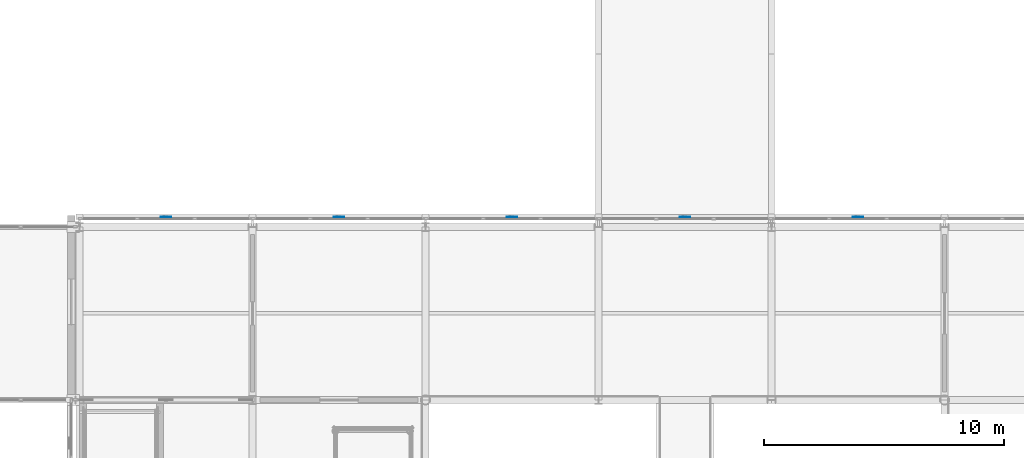
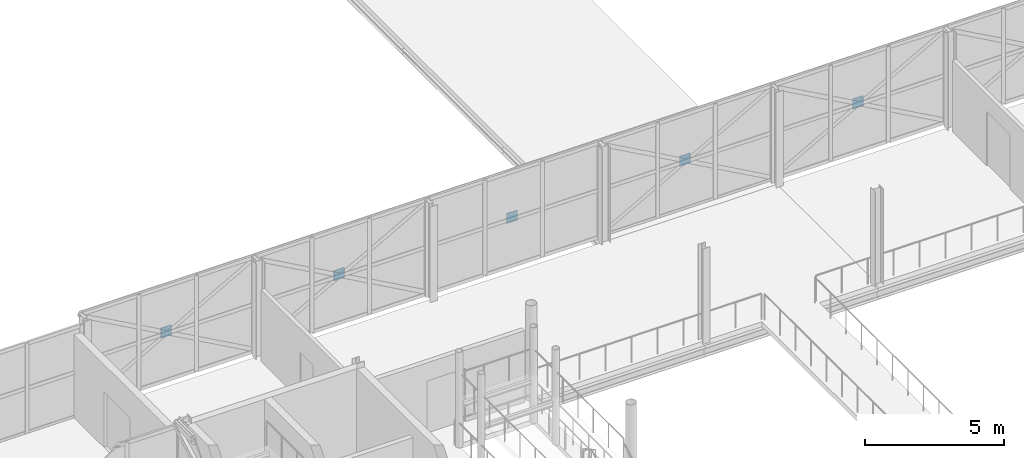
# One storey, part 88 of 126: 5 plates.
"""IFC4 building model written with IfcOpenShell, lengths in metres."""

from ifc_helpers import new_model, si_unit, direction, frame, origin, origin_2d, place, context, subcontext, project, spatial, rectangle, extrude, material, layer, layer_set, type_object, element, save


model = new_model("IFC4")

# Units and contexts
model_context = context("Model", 3, precision=1e-05, world=origin(), true_north=direction((0.0, 1.0)))
body_context = subcontext(model_context, "Body", "Model", "MODEL_VIEW")
ifc_project = project(units=[si_unit("LENGTHUNIT", "METRE"), si_unit("AREAUNIT", "SQUARE_METRE"), si_unit("VOLUMEUNIT", "CUBIC_METRE"), si_unit("PLANEANGLEUNIT", "RADIAN"), si_unit("MASSUNIT", "GRAM", prefix="KILO")], contexts=[model_context])

# Site, building, storey
site_placement = place(None, origin())
site = spatial("IfcSite", under=ifc_project, at=site_placement, CompositionType="ELEMENT")
building_placement = place(site_placement, origin())
building = spatial("IfcBuilding", under=site, at=building_placement, Name="Zlatovets Crest Museum", CompositionType="ELEMENT")
storey_placement = place(building_placement, frame((0.0, 0.0, 8.699951171875)))
storey = spatial("IfcBuildingStorey", under=building, at=storey_placement, Name="L02", CompositionType="ELEMENT", Elevation=8.699951171875)

# Plates
ifc_material = material(Name="Structural steel S355J2", Category="steel")
ifc_layer = layer(ifc_material, 0.02001953125)
ifc_layer_set = layer_set([ifc_layer], Name="Structural steel S355J2")
plate_type = type_object("IfcPlateType", Name="Gusset_GP-04", PredefinedType="USERDEFINED", material=ifc_layer_set)
for number, where, z_axis, x_axis, name in (
    (1, (90.0, 29.219970703125, 1.875), (0.0, 0.0, 1.0), (1.0, 0.0, 0.0), "X-Brace Crossing Node Gusset Plate GP-04"),
    (2, (82.800048828125, 29.219970703125, 1.875), (0.0, 0.0, 1.0), (1.0, 0.0, 0.0), "X-Brace Crossing Node Gusset Plate GP-04"),
    (3, (75.60009765625, 29.219970703125, 1.875), (0.0, 0.0, 1.0), (1.0, 0.0, 0.0), "X-Brace Crossing Node Gusset Plate GP-04"),
    (4, (68.39990234375, 29.219970703125, 1.875), (0.0, 0.0, 1.0), (1.0, 0.0, 0.0), "X-Brace Crossing Node Gusset Plate GP-04"),
    (5, (61.199951171875, 29.219970703125, 1.875), (0.0, 0.0, 1.0), (1.0, 0.0, 0.0), "X-Brace Crossing Node Gusset Plate GP-04"),
):
    element("IfcPlate", number, at=place(storey_placement, frame(where, z_axis=z_axis, x_axis=x_axis)), inside=storey, type_object=plate_type, Name=name, ObjectType="GUSSET", PredefinedType="USERDEFINED", context=body_context, shape_type="SweptSolid", body=[
        extrude(rectangle(XDim=0.449951171875, YDim=0.02001953125, at=origin_2d()), origin(), (0.0, 0.0, 1.0), 0.449951171875),
    ])

save(model, "model.ifc")
